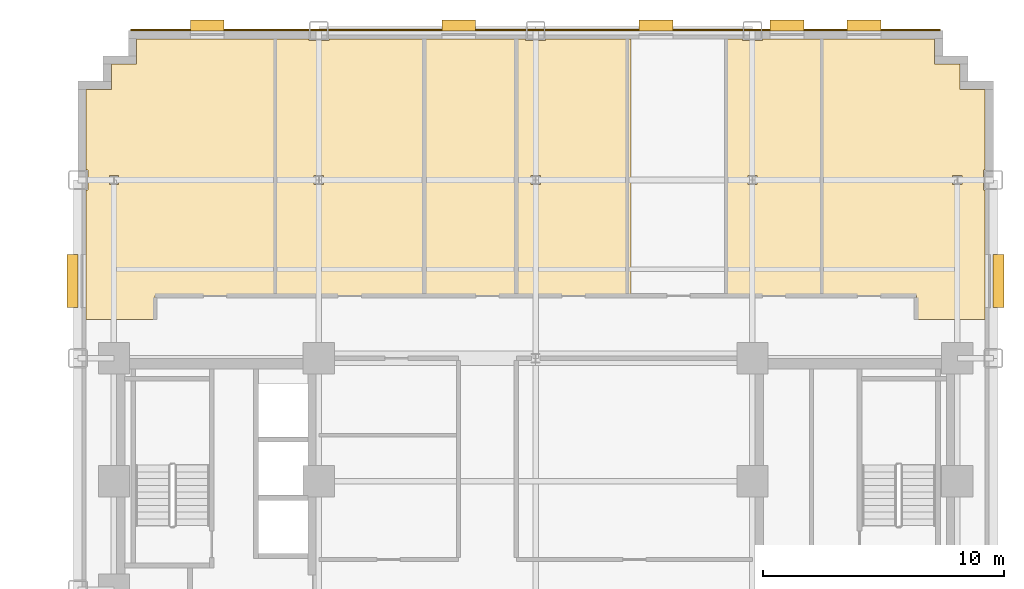
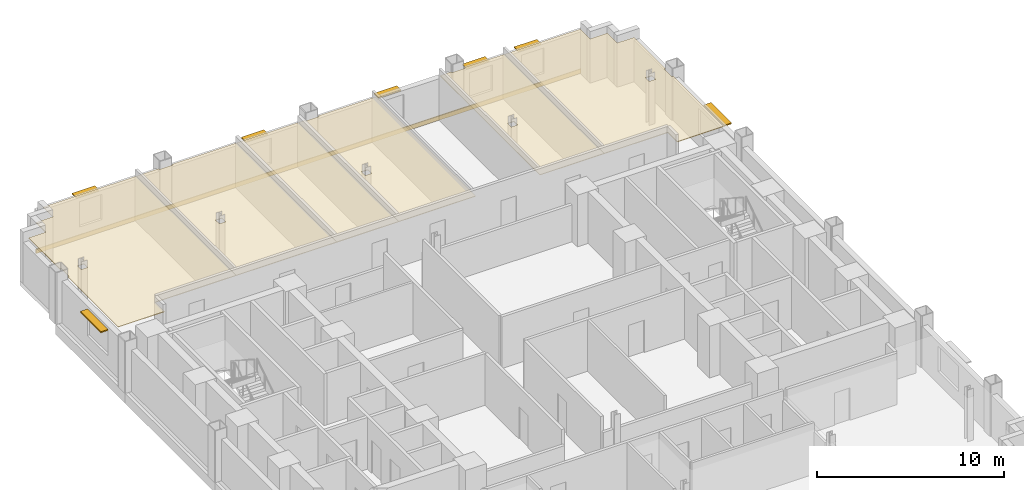
# One storey, part 12 of 12: 7 coverings, 7 shading devices.
"""IFC4 building model written with IfcOpenShell, lengths in metres."""

import ifcopenshell
import ifcopenshell.guid

model = None  # the IFC model being written
_history = None  # IfcOwnerHistory: only IFC2X3 demands one
_inside = {}  # id of a spatial element -> (the spatial element, [elements in it])
_under = {}  # id of a project, library or spatial element -> (it, [spatial elements below it])
_declared = {}  # id of a project -> (the project, [libraries it declares])
_typed = {}  # id of a type object -> (the type object, [elements of that type])
_made_of = {}  # id of a material, layer set ... -> (it, [elements and type objects made of it])


def new_model(schema):
    """Start an empty IFC model of exactly this schema.

    Asked for "IFC4X3", IfcOpenShell would pick the latest addendum, in which some entities
    have other attributes; the version numbers below select the first issue.
    IFC2X3 requires an IfcOwnerHistory on every rooted entity: one is made here for all.
    """
    global model, _history
    if schema == "IFC4X3":
        model = ifcopenshell.file(schema_version=(4, 3, 0, 0))
    else:
        model = ifcopenshell.file(schema=schema)
    _inside.clear()
    _under.clear()
    _declared.clear()
    _typed.clear()
    _made_of.clear()
    _history = None
    if model.schema == "IFC2X3":
        org = make("IfcOrganization", Name="unknown")
        user = make(
            "IfcPersonAndOrganization",
            ThePerson=make("IfcPerson", FamilyName="unknown"),
            TheOrganization=org,
        )
        app = make(
            "IfcApplication",
            ApplicationDeveloper=org,
            Version="unknown",
            ApplicationFullName="unknown",
            ApplicationIdentifier="unknown",
        )
        _history = make(
            "IfcOwnerHistory",
            OwningUser=user,
            OwningApplication=app,
            ChangeAction="ADDED",
            CreationDate=0,
        )
    return model


def make(cls, **values):
    """One entity of the class cls with the attributes given. An attribute that is None is left unset."""
    return model.create_entity(
        cls, **{name: value for name, value in values.items() if value is not None}
    )


def rooted(cls, **values):
    """An entity with a GlobalId (a new one), such as an element, a storey or a relation."""
    return make(cls, GlobalId=ifcopenshell.guid.new(), OwnerHistory=_history, **values)


def si_unit(unit_type, name, prefix=None):
    """IfcSIUnit, for example si_unit("LENGTHUNIT", "METRE", prefix="MILLI")."""
    return make("IfcSIUnit", UnitType=unit_type, Prefix=prefix, Name=name)


def assignment(units):
    """IfcUnitAssignment: the units of a project."""
    return None if units is None else make("IfcUnitAssignment", Units=units)


def point(xyz):
    """IfcCartesianPoint."""
    return None if xyz is None else make("IfcCartesianPoint", Coordinates=xyz)


def direction(xyz):
    """IfcDirection."""
    return None if xyz is None else make("IfcDirection", DirectionRatios=xyz)


def frame(location, z_axis=None, x_axis=None):
    """IfcAxis2Placement3D, a coordinate frame: its origin and axes. An axis left out is left unset."""
    return make(
        "IfcAxis2Placement3D",
        Location=point(location),
        Axis=direction(z_axis),
        RefDirection=direction(x_axis),
    )


def frame_2d(location, x_axis=None):
    """IfcAxis2Placement2D, a coordinate frame in the plane: its origin and x axis."""
    return make(
        "IfcAxis2Placement2D", Location=point(location), RefDirection=direction(x_axis)
    )


def origin():
    """The frame at (0, 0, 0) with its axes left unset."""
    return frame((0.0, 0.0, 0.0))


def origin_2d():
    """The frame at (0, 0) in the plane with its x axis left unset."""
    return frame_2d((0.0, 0.0))


def place(relative_to, where):
    """IfcLocalPlacement: puts the frame where relative to a parent placement (None: the world)."""
    return make(
        "IfcLocalPlacement", PlacementRelTo=relative_to, RelativePlacement=where
    )


def context(
    kind, dimensions, precision=None, world=None, true_north=None, identifier=None
):
    """IfcGeometricRepresentationContext, for example the 3D "Model" context."""
    return make(
        "IfcGeometricRepresentationContext",
        ContextIdentifier=identifier,
        ContextType=kind,
        CoordinateSpaceDimension=dimensions,
        Precision=precision,
        WorldCoordinateSystem=world,
        TrueNorth=true_north,
    )


def subcontext(parent, identifier, kind, view, scale=None):
    """IfcGeometricRepresentationSubContext, for example "Body" below "Model"."""
    return make(
        "IfcGeometricRepresentationSubContext",
        ContextIdentifier=identifier,
        ContextType=kind,
        ParentContext=parent,
        TargetScale=scale,
        TargetView=view,
    )


def project(units=None, contexts=None):
    """IfcProject with its units and contexts."""
    return rooted(
        "IfcProject",
        Name="project",
        RepresentationContexts=contexts,
        UnitsInContext=assignment(units),
    )


def spatial(cls, under=None, at=None, **own):
    """A site, building, storey or space (cls), placed at a placement, below another one or the project."""
    s = rooted(cls, ObjectPlacement=at, **own)
    if under is not None:
        _under.setdefault(under.id(), (under, []))[1].append(s)
    return s


def polyline(points):
    """IfcPolyline through the points."""
    return make("IfcPolyline", Points=[point(p) for p in points])


def profile(cls, at=None, kind="AREA", **sizes):
    """A parametric profile (cls). Its sizes go by their IFC names, for example OverallWidth=200.0."""
    return make(cls, ProfileType=kind, Position=at, **sizes)


def rectangle(**sizes):
    """IfcRectangleProfileDef."""
    return profile("IfcRectangleProfileDef", **sizes)


def outline(outer, holes=None, kind="AREA"):
    """IfcArbitraryClosedProfileDef: a profile drawn as a closed curve; with holes, ...WithVoids."""
    if holes is None:
        return make("IfcArbitraryClosedProfileDef", ProfileType=kind, OuterCurve=outer)
    return make(
        "IfcArbitraryProfileDefWithVoids",
        ProfileType=kind,
        OuterCurve=outer,
        InnerCurves=holes,
    )


def extrude(swept, where, along, depth):
    """IfcExtrudedAreaSolid: the profile swept, set in the frame where, extruded along a direction by depth."""
    return make(
        "IfcExtrudedAreaSolid",
        SweptArea=swept,
        Position=where,
        ExtrudedDirection=direction(along),
        Depth=depth,
    )


def shape(context_of_items, identifier, shape_type, items):
    """IfcShapeRepresentation: the items that make up one representation, for example the "Body"."""
    return make(
        "IfcShapeRepresentation",
        ContextOfItems=context_of_items,
        RepresentationIdentifier=identifier,
        RepresentationType=shape_type,
        Items=items,
    )


def source(mapping_origin, context_of_items, identifier, shape_type, items):
    """IfcRepresentationMap: a shape defined once, which mapped items show again and again."""
    return make(
        "IfcRepresentationMap",
        MappingOrigin=mapping_origin,
        MappedRepresentation=shape(context_of_items, identifier, shape_type, items),
    )


def transform(
    local_origin,
    x_axis=None,
    y_axis=None,
    z_axis=None,
    scale=None,
    scale2=None,
    scale3=None,
    uniform=True,
):
    """IfcCartesianTransformationOperator3D, or its non-uniform kind. x_axis, y_axis, z_axis: its Axis1, 2, 3."""
    if uniform:
        return make(
            "IfcCartesianTransformationOperator3D",
            Axis1=direction(x_axis),
            Axis2=direction(y_axis),
            LocalOrigin=point(local_origin),
            Scale=scale,
            Axis3=direction(z_axis),
        )
    return make(
        "IfcCartesianTransformationOperator3DnonUniform",
        Axis1=direction(x_axis),
        Axis2=direction(y_axis),
        LocalOrigin=point(local_origin),
        Scale=scale,
        Axis3=direction(z_axis),
        Scale2=scale2,
        Scale3=scale3,
    )


def mapped(mapping_source, mapping_target):
    """IfcMappedItem: shows the shape of a source again, moved by a transform."""
    return make(
        "IfcMappedItem", MappingSource=mapping_source, MappingTarget=mapping_target
    )


def material(Name=None, Category=None):
    """IfcMaterial."""
    return make("IfcMaterial", Name=Name, Category=Category)


def layer(
    of_material, thickness, ventilated=None, Name=None, Category=None, Priority=None
):
    """IfcMaterialLayer: one layer of a wall or slab, of a material (None: an air gap)."""
    return make(
        "IfcMaterialLayer",
        Material=of_material,
        LayerThickness=thickness,
        IsVentilated=ventilated,
        Name=Name,
        Category=Category,
        Priority=Priority,
    )


def layer_set(layers, Name=None):
    """IfcMaterialLayerSet."""
    return make("IfcMaterialLayerSet", MaterialLayers=layers, LayerSetName=Name)


def made_of(thing, what):
    """Note that an element or type object is made of a material, layer set ...; save() writes the relation."""
    if what is not None:
        _made_of.setdefault(what.id(), (what, []))[1].append(thing)
    return thing


def type_object(cls, material=None, **own):
    """A type object (cls), such as IfcWallType, which elements share."""
    return made_of(rooted(cls, **own), material)


def type_shapes(of_type, sources):
    """Give a type object the sources (RepresentationMaps) that its elements show as mapped items."""
    of_type.RepresentationMaps = sources


def element(
    cls,
    number,
    at=None,
    inside=None,
    cuts=None,
    type_object=None,
    material=None,
    context=None,
    identifier="Body",
    shape_type=None,
    held_by="IfcProductDefinitionShape",
    body=None,
    shapes=None,
    **own,
):
    """One element of the class cls, such as IfcWall. Its Tag is "e" and its number.

    at: its placement. inside: the storey or other place that contains it. cuts: it is an
    opening in that element (IfcRelVoidsElement). A single representation is given by context,
    identifier, shape_type and body (its items); several are given by shapes. held_by: the class
    of the entity that holds the representations. save() writes the other relations.
    """
    e = rooted(cls, Tag="e%d" % number, ObjectPlacement=at, **own)
    if body is not None:
        shapes = [shape(context, identifier, shape_type, body)]
    if shapes is not None:
        e.Representation = make(held_by, Representations=shapes)
    if inside is not None:
        _inside.setdefault(inside.id(), (inside, []))[1].append(e)
    if cuts is not None:
        rooted(
            "IfcRelVoidsElement", RelatingBuildingElement=cuts, RelatedOpeningElement=e
        )
    if type_object is not None:
        _typed.setdefault(type_object.id(), (type_object, []))[1].append(e)
    return made_of(e, material)


def aggregate(whole, parts):
    """IfcRelAggregates: a whole, such as a stair, and the parts it consists of."""
    return rooted("IfcRelAggregates", RelatingObject=whole, RelatedObjects=parts)


def save(model, path):
    """Write the relations noted so far, then the file.

    IfcRelAggregates (storeys below a building ...), IfcRelContainedInSpatialStructure (elements
    in a storey), IfcRelDefinesByType, IfcRelAssociatesMaterial and IfcRelDeclares: one each for
    every whole, place, type object, material and project.
    """
    for whole, parts in _under.values():
        aggregate(whole, parts)
    for where, things in _inside.values():
        rooted(
            "IfcRelContainedInSpatialStructure",
            RelatedElements=things,
            RelatingStructure=where,
        )
    for kind, things in _typed.values():
        rooted("IfcRelDefinesByType", RelatedObjects=things, RelatingType=kind)
    for what, things in _made_of.values():
        rooted("IfcRelAssociatesMaterial", RelatedObjects=things, RelatingMaterial=what)
    for by, libraries in _declared.values():
        rooted("IfcRelDeclares", RelatingContext=by, RelatedDefinitions=libraries)
    model.write(path)


model = new_model("IFC4")

# Units and contexts
model_context = context("Model", 3, precision=1e-05, world=origin(), true_north=direction((0.0, 1.0)))
body_context = subcontext(model_context, "Body", "Model", "MODEL_VIEW")
ifc_project = project(units=[si_unit("LENGTHUNIT", "METRE"), si_unit("AREAUNIT", "SQUARE_METRE"), si_unit("VOLUMEUNIT", "CUBIC_METRE"), si_unit("PLANEANGLEUNIT", "RADIAN"), si_unit("MASSUNIT", "GRAM", prefix="KILO")], contexts=[model_context])

# Site, building, storey
site_placement = place(None, origin())
site = spatial("IfcSite", under=ifc_project, at=site_placement, CompositionType="ELEMENT")
building_placement = place(site_placement, origin())
building = spatial("IfcBuilding", under=site, at=building_placement, Name="Nuvemarco Arch Tower", CompositionType="ELEMENT")
storey_placement = place(building_placement, frame((0.0, 0.0, 38.550048828125)))
storey = spatial("IfcBuildingStorey", under=building, at=storey_placement, Name="L09", CompositionType="ELEMENT", Elevation=38.550048828125)

# Coverings
ifc_material_1 = material(Name="Mineral acoustic ceiling tile")
ifc_layer_1 = layer(ifc_material_1, 0.0400390625, Name="COV-ACOUSTIC-CLG")
ifc_layer_set_1 = layer_set([ifc_layer_1], Name="Mineral acoustic ceiling tile")
covering_type_1 = type_object("IfcCoveringType", Name="COV-ACOUSTIC-CLG", PredefinedType="CEILING", material=ifc_layer_set_1)
covering_1_placement = place(storey_placement, frame((0.0, 0.0, 2.849853515625)))
element("IfcCovering", 1, at=covering_1_placement, inside=storey, type_object=covering_type_1, Name="L09 suspended acoustic ceiling 3", PredefinedType="CEILING", context=body_context, shape_type="SweptSolid", body=[
    extrude(outline(polyline([(-18.5849609375, 16.5849609375), (-18.5849609375, 17.4150390625), (-18.659912109375, 17.4150390625), (-18.659912109375, 20.760009765625), (-17.610107421875, 20.760009765625), (-17.610107421875, 21.81005859375), (-16.56005859375, 21.81005859375), (-16.56005859375, 22.860107421875), (-10.81005859375, 22.860107421875), (-10.81005859375, 12.199951171875), (-15.800048828125, 12.199951171875), (-15.800048828125, 11.199951171875), (-18.659912109375, 11.199951171875), (-18.659912109375, 16.5849609375), (-18.5849609375, 16.5849609375)]), holes=[polyline([(-17.304931640625, 16.804931640625), (-17.304931640625, 17.195068359375), (-17.695068359375, 17.195068359375), (-17.695068359375, 16.804931640625), (-17.304931640625, 16.804931640625)])]), origin(), (0.0, 0.0, 1.0), 0.0400390625),
])
covering_2_placement = place(storey_placement, frame((0.0, 0.0, 2.849853515625)))
element("IfcCovering", 2, at=covering_2_placement, inside=storey, type_object=covering_type_1, Name="L09 suspended acoustic ceiling 5", PredefinedType="CEILING", context=body_context, shape_type="SweptSolid", body=[
    extrude(outline(polyline([(18.659912109375, 20.760009765625), (18.659912109375, 17.4150390625), (18.5849609375, 17.4150390625), (18.5849609375, 16.5849609375), (18.659912109375, 16.5849609375), (18.659912109375, 11.199951171875), (15.800048828125, 11.199951171875), (15.800048828125, 12.199951171875), (11.8701171875, 12.199951171875), (11.8701171875, 22.860107421875), (16.56005859375, 22.860107421875), (16.56005859375, 21.81005859375), (17.610107421875, 21.81005859375), (17.610107421875, 20.760009765625), (18.659912109375, 20.760009765625)]), holes=[polyline([(17.695068359375, 16.804931640625), (17.695068359375, 17.195068359375), (17.304931640625, 17.195068359375), (17.304931640625, 16.804931640625), (17.695068359375, 16.804931640625)])]), origin(), (0.0, 0.0, 1.0), 0.0400390625),
])
covering_3_placement = place(storey_placement, frame((0.0, 0.0, 2.849853515625)))
element("IfcCovering", 3, at=covering_3_placement, inside=storey, type_object=covering_type_1, Name="L09 suspended acoustic ceiling 6", PredefinedType="CEILING", context=body_context, shape_type="SweptSolid", body=[
    extrude(outline(polyline([(-4.6201171875, 12.199951171875), (-10.81005859375, 12.199951171875), (-10.81005859375, 22.860107421875), (-9.4150390625, 22.860107421875), (-9.4150390625, 22.784912109375), (-8.5849609375, 22.784912109375), (-8.5849609375, 22.860107421875), (-4.6201171875, 22.860107421875), (-4.6201171875, 12.199951171875)]), holes=[polyline([(-8.804931640625, 16.804931640625), (-8.804931640625, 17.195068359375), (-9.195068359375, 17.195068359375), (-9.195068359375, 16.804931640625), (-8.804931640625, 16.804931640625)])]), origin(), (0.0, 0.0, 1.0), 0.0400390625),
])
covering_4_placement = place(storey_placement, frame((0.0, 0.0, 2.849853515625)))
element("IfcCovering", 4, at=covering_4_placement, inside=storey, type_object=covering_type_1, Name="L09 suspended acoustic ceiling 7", PredefinedType="CEILING", context=body_context, shape_type="SweptSolid", body=[
    extrude(outline(polyline([(3.949951171875, 12.199951171875), (-0.800048828125, 12.199951171875), (-0.800048828125, 22.860107421875), (-0.4150390625, 22.860107421875), (-0.4150390625, 22.784912109375), (0.4150390625, 22.784912109375), (0.4150390625, 22.860107421875), (3.949951171875, 22.860107421875), (3.949951171875, 12.199951171875)]), holes=[polyline([(0.195068359375, 16.804931640625), (0.195068359375, 17.195068359375), (-0.195068359375, 17.195068359375), (-0.195068359375, 16.804931640625), (0.195068359375, 16.804931640625)])]), origin(), (0.0, 0.0, 1.0), 0.0400390625),
])
covering_5_placement = place(storey_placement, frame((0.0, 0.0, 2.849853515625)))
element("IfcCovering", 5, at=covering_5_placement, inside=storey, type_object=covering_type_1, Name="L09 suspended acoustic ceiling 8", PredefinedType="CEILING", context=body_context, shape_type="SweptSolid", body=[
    extrude(outline(polyline([(11.8701171875, 12.199951171875), (7.909912109375, 12.199951171875), (7.909912109375, 22.860107421875), (8.5849609375, 22.860107421875), (8.5849609375, 22.784912109375), (9.4150390625, 22.784912109375), (9.4150390625, 22.860107421875), (11.8701171875, 22.860107421875), (11.8701171875, 12.199951171875)]), holes=[polyline([(9.195068359375, 17.195068359375), (8.804931640625, 17.195068359375), (8.804931640625, 16.804931640625), (9.195068359375, 16.804931640625), (9.195068359375, 17.195068359375)])]), origin(), (0.0, 0.0, 1.0), 0.0400390625),
])
covering_6_placement = place(storey_placement, frame((0.0, 0.0, 2.849853515625)))
element("IfcCovering", 6, at=covering_6_placement, inside=storey, type_object=covering_type_1, Name="L09 suspended acoustic ceiling 9", PredefinedType="CEILING", context=body_context, shape_type="SweptSolid", body=[
    extrude(outline(polyline([(-0.800048828125, 12.199951171875), (-3.199951171875, 12.199951171875), (-4.6201171875, 12.199951171875), (-4.6201171875, 22.860107421875), (-0.800048828125, 22.860107421875), (-0.800048828125, 12.199951171875)])), origin(), (0.0, 0.0, 1.0), 0.0400390625),
])

# Shading devices
ifc_material_2 = material(Name="Anodised aluminium 6063-T6", Category="aluminium")
shading_device_type_1 = type_object("IfcShadingDeviceType", Name="SHD-BRISE-SOLEIL", PredefinedType="USERDEFINED", material=ifc_material_2)
shared_shape_1 = source(origin(), body_context, "Body", "SweptSolid", [
    extrude(rectangle(XDim=2.199951171875, YDim=0.449951171875, at=origin_2d()), origin(), (0.0, 0.0, 1.0), 0.080078125),
])
type_shapes(shading_device_type_1, [shared_shape_1])
for number, where, z_axis, x_axis, name in (
    (7, (19.215087890625, 12.802490234375, 2.454833984375), (0.0, 0.0, 1.0), (0.0, 1.0, 0.0), "L09 horizontal brise-soleil sunshade"),
    (8, (-19.215087890625, 12.802490234375, 2.454833984375), (0.0, 0.0, 1.0), (0.0, 1.0, 0.0), "L09 horizontal brise-soleil sunshade"),
):
    element("IfcShadingDevice", number, at=place(storey_placement, frame(where, z_axis=z_axis, x_axis=x_axis)), inside=storey, type_object=shading_device_type_1, Name=name, ObjectType="SUNSHADE", PredefinedType="USERDEFINED", context=body_context, shape_type="MappedRepresentation", body=[
        mapped(shared_shape_1, transform((0.0, 0.0, 0.0), scale=1.0)),
    ])
shading_device_type_2 = type_object("IfcShadingDeviceType", Name="SHD-BRISE-NARROW", PredefinedType="USERDEFINED", material=ifc_material_2)
shared_shape_2 = source(origin(), body_context, "Body", "SweptSolid", [
    extrude(rectangle(XDim=1.39990234375, YDim=0.449951171875, at=origin_2d()), origin(), (0.0, 0.0, 1.0), 0.080078125),
])
type_shapes(shading_device_type_2, [shared_shape_2])
for number, where, z_axis, x_axis, name in (
    (9, (-13.628662109375, 23.4150390625, 2.454833984375), (0.0, 0.0, 1.0), (1.0, 0.0, 0.0), "L09 horizontal brise-soleil sunshade"),
    (10, (-3.19287109375, 23.4150390625, 2.454833984375), (0.0, 0.0, 1.0), (1.0, 0.0, 0.0), "L09 horizontal brise-soleil sunshade"),
    (11, (4.992919921875, 23.4150390625, 2.454833984375), (0.0, 0.0, 1.0), (1.0, 0.0, 0.0), "L09 horizontal brise-soleil sunshade"),
    (12, (10.435791015625, 23.4150390625, 2.454833984375), (0.0, 0.0, 1.0), (1.0, 0.0, 0.0), "L09 horizontal brise-soleil sunshade"),
    (13, (13.628662109375, 23.4150390625, 2.454833984375), (0.0, 0.0, 1.0), (1.0, 0.0, 0.0), "L09 horizontal brise-soleil sunshade"),
):
    element("IfcShadingDevice", number, at=place(storey_placement, frame(where, z_axis=z_axis, x_axis=x_axis)), inside=storey, type_object=shading_device_type_2, Name=name, ObjectType="SUNSHADE", PredefinedType="USERDEFINED", context=body_context, shape_type="MappedRepresentation", body=[
        mapped(shared_shape_2, transform((0.0, 0.0, 0.0), scale=1.0)),
    ])

# Covering
ifc_material_3 = material(Name="Precast concrete C45/55", Category="concrete")
ifc_layer_2 = layer(ifc_material_3, 0.06005859375, Name="COV-SPANDREL-CLAD")
ifc_layer_set_2 = layer_set([ifc_layer_2], Name="Precast concrete C45/55")
covering_type_2 = type_object("IfcCoveringType", Name="COV-SPANDREL-CLAD", PredefinedType="CLADDING", material=ifc_layer_set_2)
shared_shape_3 = source(origin(), body_context, "Body", "SweptSolid", [
    extrude(rectangle(XDim=33.60009765625, YDim=0.06005859375, at=origin_2d()), origin(), (0.0, 0.0, 1.0), 0.280029296875),
])
type_shapes(covering_type_2, [shared_shape_3])
covering_7_placement = place(storey_placement, frame((0.0, 23.22900390625, -0.2802734375), z_axis=(0.0, 0.0, 1.0), x_axis=(1.0, 0.0, 0.0)))
element("IfcCovering", 14, at=covering_7_placement, inside=storey, type_object=covering_type_2, Name="L09 precast spandrel edge cladding north", PredefinedType="CLADDING", context=body_context, shape_type="MappedRepresentation", body=[
    mapped(shared_shape_3, transform((0.0, 0.0, 0.0), scale=1.0)),
])

save(model, "model.ifc")
